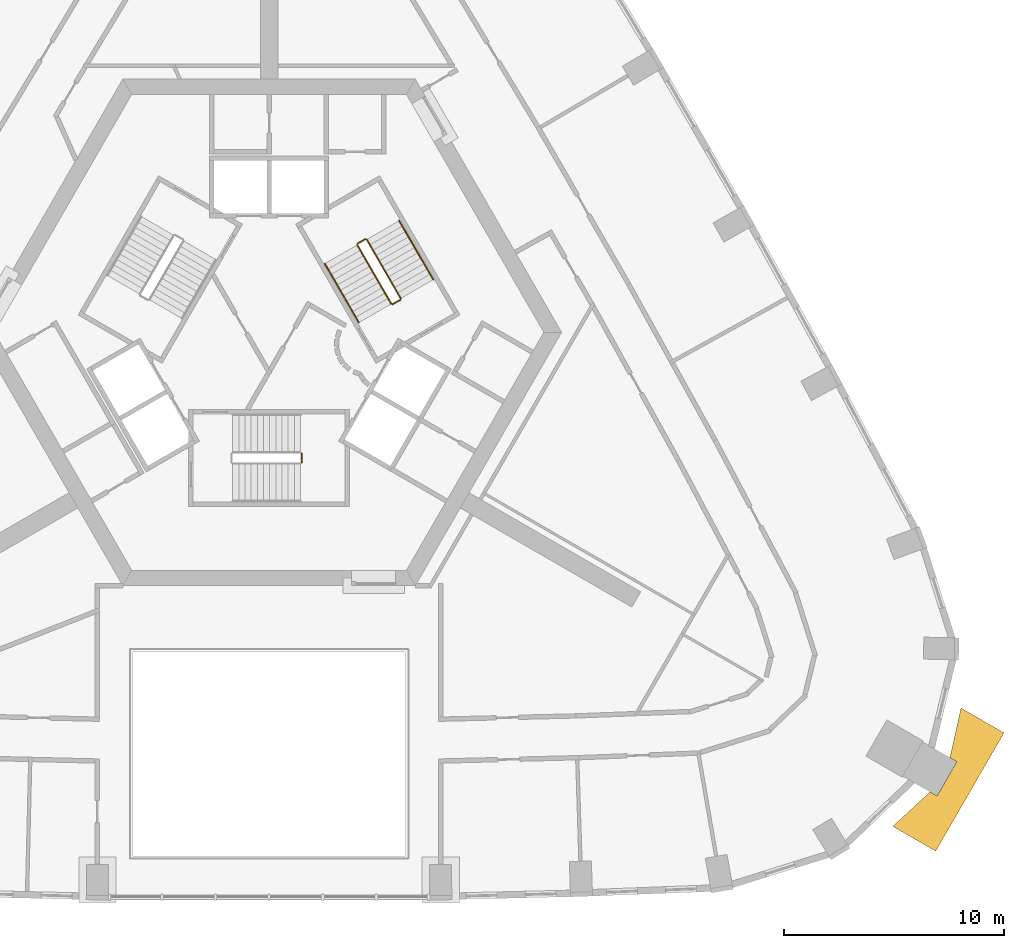
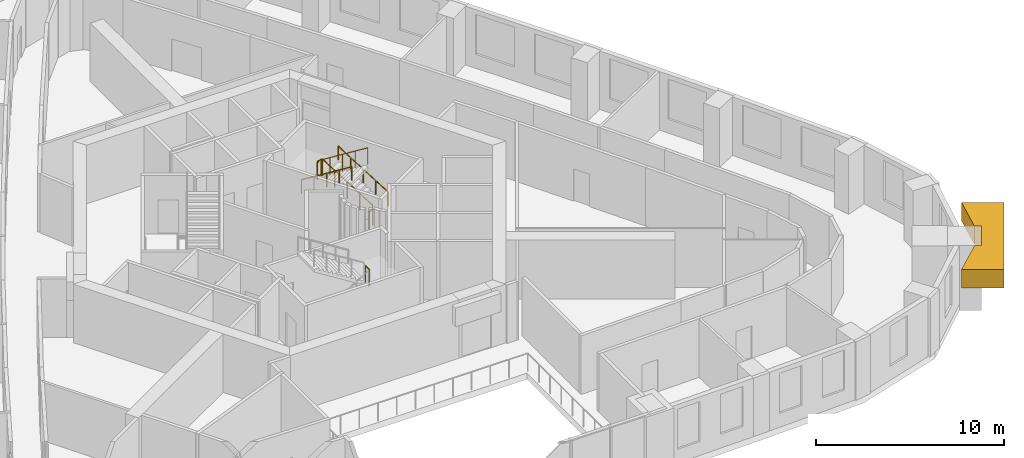
# One storey, part 12 of 13: 7 railings, 1 covering.
"""IFC4 building model written with IfcOpenShell, lengths in metres."""

from ifc_helpers import new_model, si_unit, direction, frame, origin, origin_2d, place, context, subcontext, project, spatial, polyline, circle, outline, extrude, material, type_object, element, save


model = new_model("IFC4")

# Units and contexts
model_context = context("Model", 3, precision=1e-05, world=origin(), true_north=direction((0.0, 1.0)))
body_context = subcontext(model_context, "Body", "Model", "MODEL_VIEW")
ifc_project = project(units=[si_unit("LENGTHUNIT", "METRE"), si_unit("AREAUNIT", "SQUARE_METRE"), si_unit("VOLUMEUNIT", "CUBIC_METRE"), si_unit("PLANEANGLEUNIT", "RADIAN"), si_unit("MASSUNIT", "GRAM", prefix="KILO")], contexts=[model_context])

# Site, building, storey
site_placement = place(None, origin())
site = spatial("IfcSite", under=ifc_project, at=site_placement, CompositionType="ELEMENT")
building_placement = place(site_placement, origin())
building = spatial("IfcBuilding", under=site, at=building_placement, Name="Entoto Arch Interchange Tower", CompositionType="ELEMENT")
storey_placement = place(building_placement, frame((0.0, 0.0, 223.39990234375)))
storey = spatial("IfcBuildingStorey", under=building, at=storey_placement, Name="L50", CompositionType="ELEMENT", Elevation=223.39990234375)

# Covering
ifc_material_1 = material(Name="Board-marked precast concrete C50/60", Category="concrete")
covering_type = type_object("IfcCoveringType", Name="PRECAST FRAME COURSE", PredefinedType="CLADDING", material=ifc_material_1)
covering_placement = place(storey_placement, frame((0.0, 0.0, 2.60009765625)))
element("IfcCovering", 1, at=covering_placement, inside=storey, type_object=covering_type, Name="Corner pilaster head SE L48-L50", PredefinedType="CLADDING", context=body_context, shape_type="SweptSolid", body=[
    extrude(outline(polyline([(33.361083984375, -15.680908203125), (30.260986328125, -21.051025390625), (28.30810546875, -19.923095703125), (30.0048828125, -18.363037109375), (30.321044921875, -18.544921875), (31.220947265625, -16.987060546875), (30.905029296875, -16.803955078125), (31.407958984375, -14.553955078125), (33.361083984375, -15.680908203125)])), origin(), (0.0, 0.0, 1.0), 1.199951171875),
])

# Railings
ifc_material_2 = material(Name="Stainless steel 1.4301", Category="steel")
railing_type_1 = type_object("IfcRailingType", Name="STAIR GUARD 1100 STEEL", PredefinedType="GUARDRAIL", material=ifc_material_2)
railing_1_placement = place(storey_placement, frame((1.47998046875, -3.39990234375, 2.10009765625)))
element("IfcRailing", 2, at=railing_1_placement, inside=storey, type_object=railing_type_1, Name="L50 ST-S stair guard 2", PredefinedType="GUARDRAIL", context=body_context, shape_type="SweptSolid", body=[
    extrude(circle(Radius=0.02392578125, at=origin_2d()), frame((0.0, 0.0, 1.076171875), z_axis=(0.0, 1.0, 0.0), x_axis=(-1.0, 0.0, 0.0)), (0.0, 0.0, 1.0), 0.39990234375),
    extrude(circle(Radius=0.02099609375, at=origin_2d()), origin(), (0.0, 0.0, 1.0), 1.052001953125),
    extrude(circle(Radius=0.02099609375, at=origin_2d()), frame((0.0, 0.39990234375, 0.0)), (0.0, 0.0, 1.0), 1.052001953125),
])
railing_2_placement = place(storey_placement, frame((5.977783203125, 4.046142578125, 0.175048828125)))
element("IfcRailing", 3, at=railing_2_placement, inside=storey, type_object=railing_type_1, Name="L50 ST-NE stair guard 1", PredefinedType="GUARDRAIL", context=body_context, shape_type="SweptSolid", body=[
    extrude(circle(Radius=0.02392578125, at=origin_2d()), frame((0.0, 0.0, 1.076171875), z_axis=(-0.424015404183, 0.734364028329, 0.530019255228), x_axis=(-0.866010015463, -0.500026652407, 0.0)), (0.0, 0.0, 1.0), 3.632080078125),
    extrude(circle(Radius=0.02099609375, at=origin_2d()), origin(), (0.0, 0.0, 1.0), 1.052001953125),
    extrude(circle(Radius=0.02099609375, at=origin_2d()), frame((-0.385009765625, 0.666748046875, 0.481201171875)), (0.0, 0.0, 1.0), 1.052001953125),
    extrude(circle(Radius=0.02099609375, at=origin_2d()), frame((-0.77001953125, 1.33349609375, 0.96240234375)), (0.0, 0.0, 1.0), 1.052001953125),
    extrude(circle(Radius=0.02099609375, at=origin_2d()), frame((-1.155029296875, 2.00048828125, 1.44384765625)), (0.0, 0.0, 1.0), 1.052001953125),
    extrude(circle(Radius=0.02099609375, at=origin_2d()), frame((-1.5400390625, 2.667236328125, 1.925048828125)), (0.0, 0.0, 1.0), 1.052001953125),
])
railing_3_placement = place(storey_placement, frame((4.36962890625, 6.731689453125, 2.10009765625)))
element("IfcRailing", 4, at=railing_3_placement, inside=storey, type_object=railing_type_1, Name="L50 ST-NE stair guard 2", PredefinedType="GUARDRAIL", context=body_context, shape_type="SweptSolid", body=[
    extrude(circle(Radius=0.02392578125, at=origin_2d()), frame((0.0, 0.0, 1.076171875), z_axis=(-0.866094119867, -0.499880961361, 0.0), x_axis=(0.499880961361, -0.866094119867, 0.0)), (0.0, 0.0, 1.0), 0.39990234375),
    extrude(circle(Radius=0.02099609375, at=origin_2d()), origin(), (0.0, 0.0, 1.0), 1.052001953125),
    extrude(circle(Radius=0.02099609375, at=origin_2d()), frame((-0.346435546875, -0.199951171875, 0.0)), (0.0, 0.0, 1.0), 1.052001953125),
])
railing_4_placement = place(storey_placement, frame((4.0048828125, 6.46337890625, 2.275146484375)))
element("IfcRailing", 5, at=railing_4_placement, inside=storey, type_object=railing_type_1, Name="L50 ST-NE stair guard 3", PredefinedType="GUARDRAIL", context=body_context, shape_type="SweptSolid", body=[
    extrude(circle(Radius=0.02392578125, at=origin_2d()), frame((0.0, 0.0, 1.076171875), z_axis=(0.424015404183, -0.734364028329, 0.530019255228), x_axis=(0.866010015463, 0.500026652407, 0.0)), (0.0, 0.0, 1.0), 3.632080078125),
    extrude(circle(Radius=0.02099609375, at=origin_2d()), origin(), (0.0, 0.0, 1.0), 1.052001953125),
    extrude(circle(Radius=0.02099609375, at=origin_2d()), frame((0.385009765625, -0.666748046875, 0.481201171875)), (0.0, 0.0, 1.0), 1.052001953125),
    extrude(circle(Radius=0.02099609375, at=origin_2d()), frame((0.77001953125, -1.33349609375, 0.96240234375)), (0.0, 0.0, 1.0), 1.052001953125),
    extrude(circle(Radius=0.02099609375, at=origin_2d()), frame((1.155029296875, -2.00048828125, 1.44384765625)), (0.0, 0.0, 1.0), 1.052001953125),
    extrude(circle(Radius=0.02099609375, at=origin_2d()), frame((1.5400390625, -2.667236328125, 1.925048828125)), (0.0, 0.0, 1.0), 1.052001953125),
])
railing_5_placement = place(storey_placement, frame((5.95947265625, 3.977783203125, 0.0)))
element("IfcRailing", 6, at=railing_5_placement, inside=storey, type_object=railing_type_1, Name="L50 ST-NE stair guard 4", PredefinedType="GUARDRAIL", context=body_context, shape_type="SweptSolid", body=[
    extrude(circle(Radius=0.02392578125, at=origin_2d()), frame((0.0, 0.0, 1.076171875), z_axis=(-0.866094119867, -0.499880961361, 0.0), x_axis=(0.499880961361, -0.866094119867, 0.0)), (0.0, 0.0, 1.0), 0.39990234375),
    extrude(circle(Radius=0.02099609375, at=origin_2d()), origin(), (0.0, 0.0, 1.0), 1.052001953125),
    extrude(circle(Radius=0.02099609375, at=origin_2d()), frame((-0.346435546875, -0.199951171875, 0.0)), (0.0, 0.0, 1.0), 1.052001953125),
])
railing_type_2 = type_object("IfcRailingType", Name="STAIR HANDRAIL 900 STEEL", PredefinedType="HANDRAIL", material=ifc_material_2)
railing_6_placement = place(storey_placement, frame((7.4501953125, 4.89599609375, 0.175048828125)))
element("IfcRailing", 7, at=railing_6_placement, inside=storey, type_object=railing_type_2, Name="L50 ST-NE stair handrail 1", PredefinedType="HANDRAIL", context=body_context, shape_type="SweptSolid", body=[
    extrude(circle(Radius=0.02392578125, at=origin_2d()), frame((0.0, 0.0, 0.8759765625), z_axis=(-0.423994474112, 0.734394994316, 0.52999309264), x_axis=(-0.866029832698, -0.499992328818, 0.0)), (0.0, 0.0, 1.0), 3.63232421875),
    extrude(circle(Radius=0.02099609375, at=origin_2d()), origin(), (0.0, 0.0, 1.0), 0.851806640625),
    extrude(circle(Radius=0.02099609375, at=origin_2d()), frame((-0.385009765625, 0.6669921875, 0.481201171875)), (0.0, 0.0, 1.0), 0.851806640625),
    extrude(circle(Radius=0.02099609375, at=origin_2d()), frame((-0.77001953125, 1.333740234375, 0.96240234375)), (0.0, 0.0, 1.0), 0.851806640625),
    extrude(circle(Radius=0.02099609375, at=origin_2d()), frame((-1.155029296875, 2.00048828125, 1.44384765625)), (0.0, 0.0, 1.0), 0.851806640625),
    extrude(circle(Radius=0.02099609375, at=origin_2d()), frame((-1.5400390625, 2.66748046875, 1.925048828125)), (0.0, 0.0, 1.0), 0.851806640625),
])
railing_7_placement = place(storey_placement, frame((2.53271484375, 5.613525390625, 2.275146484375)))
element("IfcRailing", 8, at=railing_7_placement, inside=storey, type_object=railing_type_2, Name="L50 ST-NE stair handrail 2", PredefinedType="HANDRAIL", context=body_context, shape_type="SweptSolid", body=[
    extrude(circle(Radius=0.02392578125, at=origin_2d()), frame((0.0, 0.0, 0.8759765625), z_axis=(0.423939339791, -0.734415923031, 0.53000819633), x_axis=(0.866064153644, 0.499932877268, 0.0)), (0.0, 0.0, 1.0), 3.632080078125),
    extrude(circle(Radius=0.02099609375, at=origin_2d()), origin(), (0.0, 0.0, 1.0), 0.851806640625),
    extrude(circle(Radius=0.02099609375, at=origin_2d()), frame((0.385009765625, -0.6669921875, 0.481201171875)), (0.0, 0.0, 1.0), 0.851806640625),
    extrude(circle(Radius=0.02099609375, at=origin_2d()), frame((0.77001953125, -1.333740234375, 0.96240234375)), (0.0, 0.0, 1.0), 0.851806640625),
    extrude(circle(Radius=0.02099609375, at=origin_2d()), frame((1.15478515625, -2.00048828125, 1.44384765625)), (0.0, 0.0, 1.0), 0.851806640625),
    extrude(circle(Radius=0.02099609375, at=origin_2d()), frame((1.539794921875, -2.66748046875, 1.925048828125)), (0.0, 0.0, 1.0), 0.851806640625),
])

save(model, "model.ifc")
